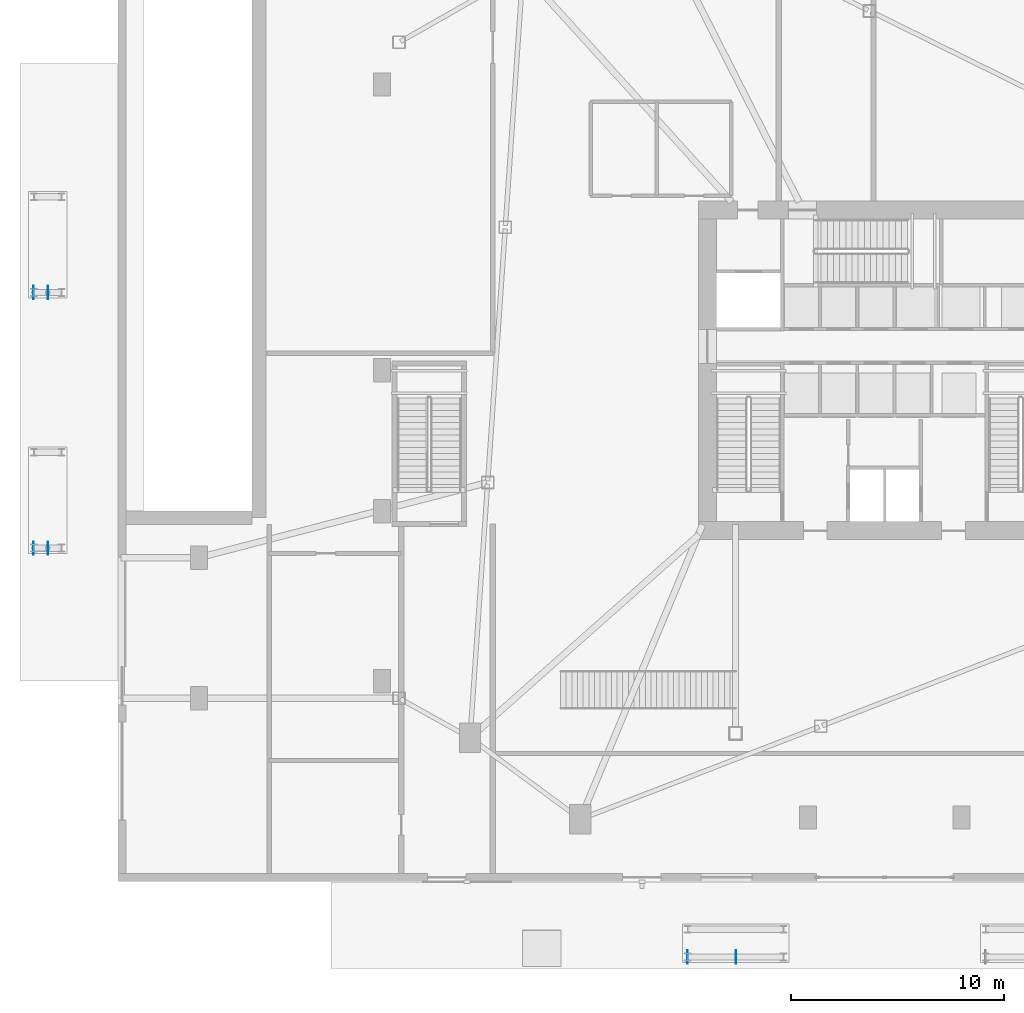
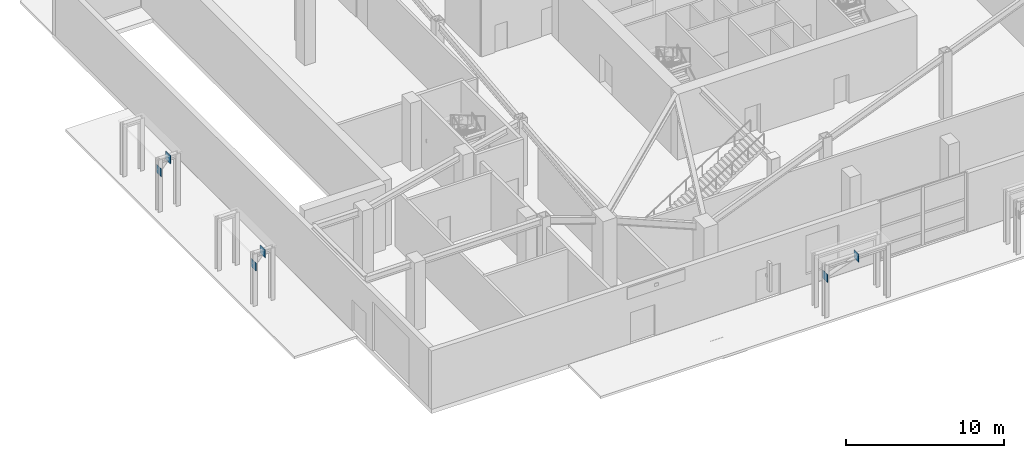
# One storey, part 10 of 22: 6 plates.
"""IFC4 building model written with IfcOpenShell, lengths in metres."""

from ifc_helpers import new_model, si_unit, direction, frame, origin, origin_2d, place, context, subcontext, project, spatial, rectangle, extrude, source, transform, mapped, material, type_object, element, save


model = new_model("IFC4")

# Units and contexts
model_context = context("Model", 3, precision=1e-05, world=origin(), true_north=direction((0.0, 1.0)))
body_context = subcontext(model_context, "Body", "Model", "MODEL_VIEW")
ifc_project = project(units=[si_unit("LENGTHUNIT", "METRE"), si_unit("AREAUNIT", "SQUARE_METRE"), si_unit("VOLUMEUNIT", "CUBIC_METRE"), si_unit("PLANEANGLEUNIT", "RADIAN"), si_unit("MASSUNIT", "GRAM", prefix="KILO")], contexts=[model_context])

# Site, building, storey
site_placement = place(None, origin())
site = spatial("IfcSite", under=ifc_project, at=site_placement, CompositionType="ELEMENT")
building_placement = place(site_placement, origin())
building = spatial("IfcBuilding", under=site, at=building_placement, Name="Olszyna Solenne Hotel", CompositionType="ELEMENT")
storey_placement = place(building_placement, origin())
storey = spatial("IfcBuildingStorey", under=building, at=storey_placement, Name="L00", CompositionType="ELEMENT", Elevation=0.0)

# Plates
ifc_material = material(Name="Steel S460M", Category="steel")
plate_type = type_object("IfcPlateType", Name="GP-CAP2", PredefinedType="USERDEFINED", material=ifc_material)
shared_shape = source(origin(), body_context, "Body", "SweptSolid", [
    extrude(rectangle(XDim=0.030029296875, YDim=0.6201171875, at=origin_2d()), origin(), (0.0, 0.0, 1.0), 0.6201171875),
])
for number, where, z_axis, x_axis, name in (
    (1, (28.73583984375, -0.949951171875, 2.7900390625), (0.0, 0.0, 1.0), (1.0, 0.0, 0.0), "Hollow section end-cap plate GP-CAP2 CP-CN-M-CN-CN-S1-1"),
    (2, (31.01416015625, -0.949951171875, 3.56982421875), (0.0, 0.0, 1.0), (1.0, 0.0, 0.0), "Hollow section end-cap plate GP-CAP2 CP-CN-M-CN-CN-S1-2"),
    (3, (-1.959716796875, 18.25, 2.7900390625), (0.0, 0.0, 1.0), (1.0, 0.0, 0.0), "Hollow section end-cap plate GP-CAP2 CP-CN-M-CN-CN-W1-1"),
    (4, (-1.290283203125, 18.25, 3.56982421875), (0.0, 0.0, 1.0), (1.0, 0.0, 0.0), "Hollow section end-cap plate GP-CAP2 CP-CN-M-CN-CN-W1-2"),
    (5, (-1.959716796875, 30.25, 2.7900390625), (0.0, 0.0, 1.0), (1.0, 0.0, 0.0), "Hollow section end-cap plate GP-CAP2 CP-CN-M-CN-CN-W2-1"),
    (6, (-1.290283203125, 30.25, 3.56982421875), (0.0, 0.0, 1.0), (1.0, 0.0, 0.0), "Hollow section end-cap plate GP-CAP2 CP-CN-M-CN-CN-W2-2"),
):
    element("IfcPlate", number, at=place(storey_placement, frame(where, z_axis=z_axis, x_axis=x_axis)), inside=storey, type_object=plate_type, Name=name, ObjectType="GUSSET_PLATE", PredefinedType="USERDEFINED", context=body_context, shape_type="MappedRepresentation", body=[
        mapped(shared_shape, transform((0.0, 0.0, 0.0), x_axis=(1.0, 0.0, 0.0), y_axis=(0.0, 1.0, 0.0), z_axis=(0.0, 0.0, 1.0), scale=1.0)),
    ])

save(model, "model.ifc")
